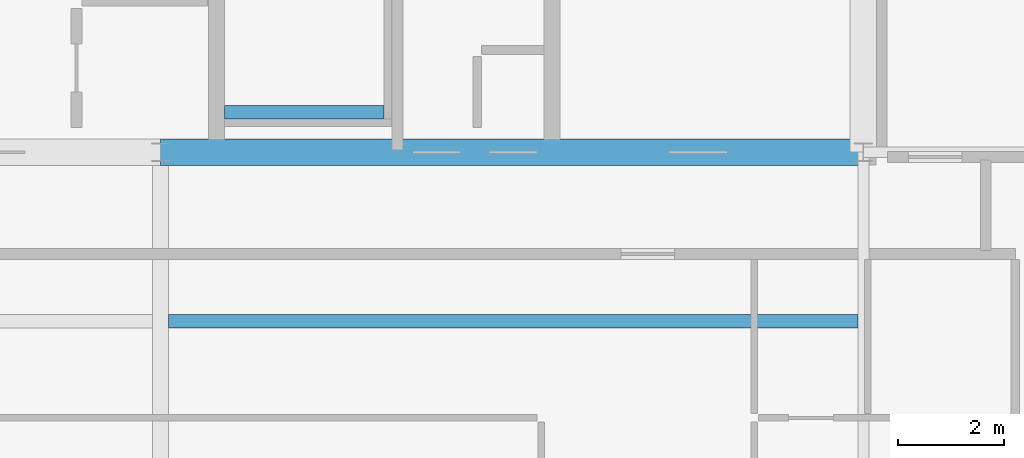
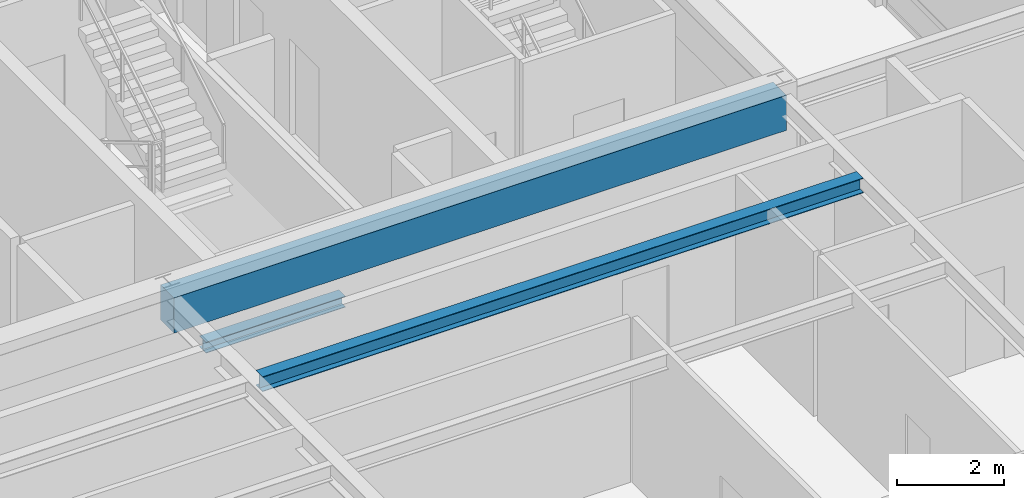
# One storey, part 10 of 34: 3 beams.
"""IFC4 building model written with IfcOpenShell, lengths in metres."""

from ifc_helpers import new_model, si_unit, direction, frame, origin, origin_2d, place, context, subcontext, project, spatial, rectangle, i_section, extrude, source, transform, mapped, material, material_profile, profile_set, type_object, element, save


model = new_model("IFC4")

# Units and contexts
model_context = context("Model", 3, precision=1e-05, world=origin(), true_north=direction((0.0, 1.0)))
body_context = subcontext(model_context, "Body", "Model", "MODEL_VIEW")
ifc_project = project(units=[si_unit("LENGTHUNIT", "METRE"), si_unit("AREAUNIT", "SQUARE_METRE"), si_unit("VOLUMEUNIT", "CUBIC_METRE"), si_unit("PLANEANGLEUNIT", "RADIAN"), si_unit("MASSUNIT", "GRAM", prefix="KILO"), si_unit("THERMODYNAMICTEMPERATUREUNIT", "KELVIN"), si_unit("POWERUNIT", "WATT")], contexts=[model_context])

# Site, building, storey
site_placement = place(None, origin())
site = spatial("IfcSite", under=ifc_project, at=site_placement, CompositionType="ELEMENT")
building_placement = place(site_placement, origin())
building = spatial("IfcBuilding", under=site, at=building_placement, Name="Yuzanri Waterfront Tower", CompositionType="ELEMENT")
storey_placement = place(building_placement, frame((0.0, 0.0, 339.199951171875)))
storey = spatial("IfcBuildingStorey", under=building, at=storey_placement, Name="L91", CompositionType="ELEMENT", Elevation=339.199951171875)

# Beams
ifc_material_1 = material(Name="Concrete C50", Category="concrete")
ifc_material_profile_1 = material_profile(ifc_material_1, rectangle(XDim=0.5, YDim=0.800048828125, at=origin_2d()), Name="RC 500x800")
ifc_profile_set_1 = profile_set([ifc_material_profile_1], Name="Concrete C50")
beam_type_1 = type_object("IfcBeamType", Name="Core Coupling Lintel Concrete C50 500x800", PredefinedType="LINTEL", material=ifc_profile_set_1)
shared_shape_1 = source(origin(), body_context, "Body", "SweptSolid", [
    extrude(rectangle(XDim=0.5, YDim=0.800048828125, at=origin_2d()), origin(), (0.0, 0.0, 1.0), 13.199951171875),
])
beam_1_placement = place(storey_placement, frame((37.0, 19.39990234375, 3.360107421875), z_axis=(1.0, 0.0, 0.0), x_axis=(0.0, 1.0, 0.0)))
element("IfcBeam", 1, at=beam_1_placement, inside=storey, type_object=beam_type_1, Name="L91 Core Tie Beam CS2", PredefinedType="LINTEL", context=body_context, shape_type="MappedRepresentation", body=[
    mapped(shared_shape_1, transform((0.0, 0.0, 0.0), scale=1.0)),
])
ifc_material_2 = material(Name="Steel Q355B", Category="steel")
ifc_material_profile_2 = material_profile(ifc_material_2, i_section(OverallWidth=0.25, OverallDepth=0.340087890625, WebThickness=0.009033203125, FlangeThickness=0.013916015625, at=origin_2d()), Name="HM 340x250x9x14")
ifc_profile_set_2 = profile_set([ifc_material_profile_2], Name="Steel Q355B")
beam_type_2 = type_object("IfcBeamType", Name="Penthouse Floor Girder Q355B HM 340x250", PredefinedType="BEAM", material=ifc_profile_set_2)
shared_shape_2 = source(origin(), body_context, "Body", "SweptSolid", [
    extrude(i_section(OverallWidth=0.25, OverallDepth=0.340087890625, WebThickness=0.009033203125, FlangeThickness=0.013916015625, at=origin_2d()), origin(), (0.0, 0.0, 1.0), 12.9501953125),
])
beam_2_placement = place(storey_placement, frame((37.14990234375, 16.22509765625, 3.590087890625), z_axis=(1.0, 0.0, 0.0), x_axis=(0.0, 1.0, 0.0)))
element("IfcBeam", 2, at=beam_2_placement, inside=storey, type_object=beam_type_2, Name="L91 Penthouse Trim Girder E", PredefinedType="BEAM", context=body_context, shape_type="MappedRepresentation", body=[
    mapped(shared_shape_2, transform((0.0, 0.0, 0.0), scale=1.0)),
])
ifc_material_3 = material(Name="Steel Q355B", Category="steel")
ifc_material_profile_3 = material_profile(ifc_material_3, i_section(OverallWidth=0.25, OverallDepth=0.25, WebThickness=0.009033203125, FlangeThickness=0.013916015625, at=origin_2d()), Name="HW 250x250x9x14")
ifc_profile_set_3 = profile_set([ifc_material_profile_3], Name="Steel Q355B")
beam_type_3 = type_object("IfcBeamType", Name="Stair Landing Support Beam Q355B HW 250x250", PredefinedType="BEAM", material=ifc_profile_set_3)
shared_shape_3 = source(origin(), body_context, "Body", "SweptSolid", [
    extrude(i_section(OverallWidth=0.25, OverallDepth=0.25, WebThickness=0.009033203125, FlangeThickness=0.013916015625, at=origin_2d()), origin(), (0.0, 0.0, 1.0), 3.0),
])
beam_3_placement = place(storey_placement, frame((38.199951171875, 20.14990234375, 1.675048828125), z_axis=(1.0, 0.0, 0.0), x_axis=(0.0, 1.0, 0.0)))
element("IfcBeam", 3, at=beam_3_placement, inside=storey, type_object=beam_type_3, Name="L91 Stair Landing Support Beam ST-03-L91-L1-1", PredefinedType="BEAM", context=body_context, shape_type="MappedRepresentation", body=[
    mapped(shared_shape_3, transform((0.0, 0.0, 0.0), scale=1.0)),
])

save(model, "model.ifc")
